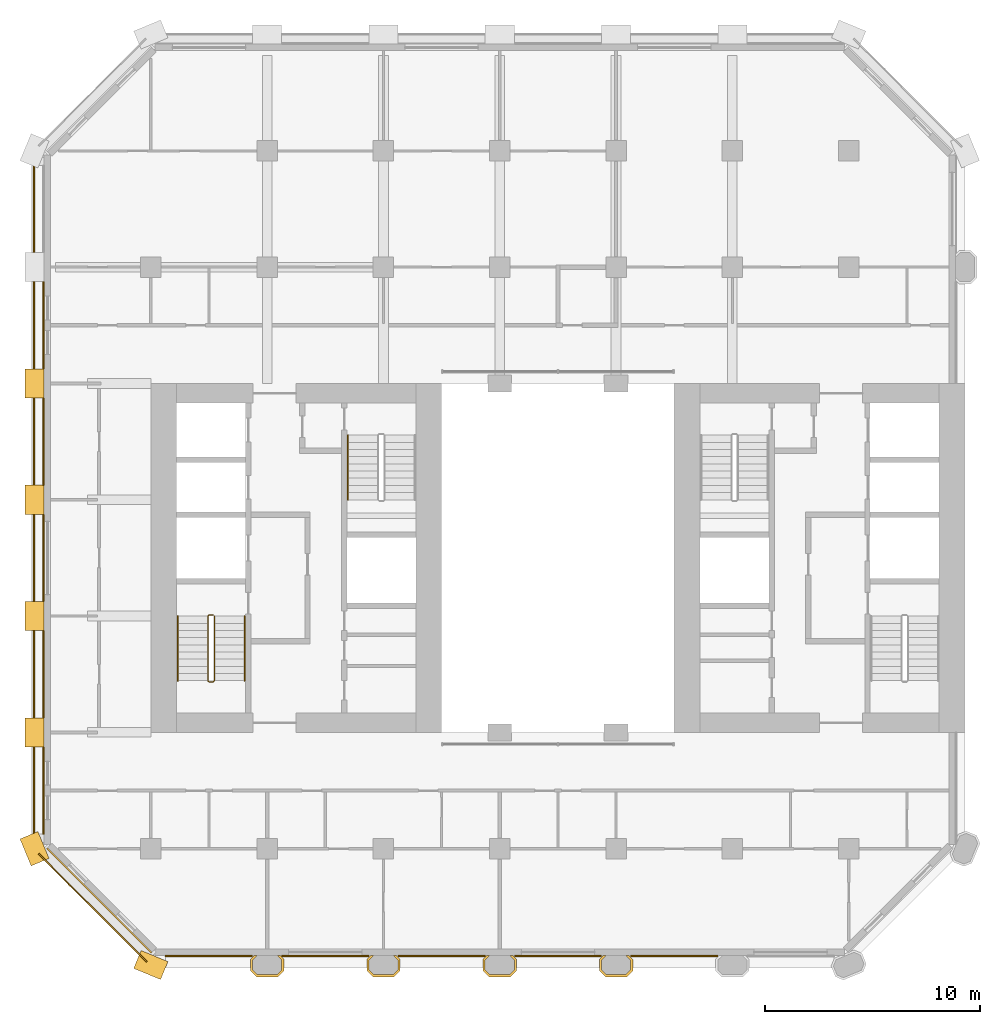
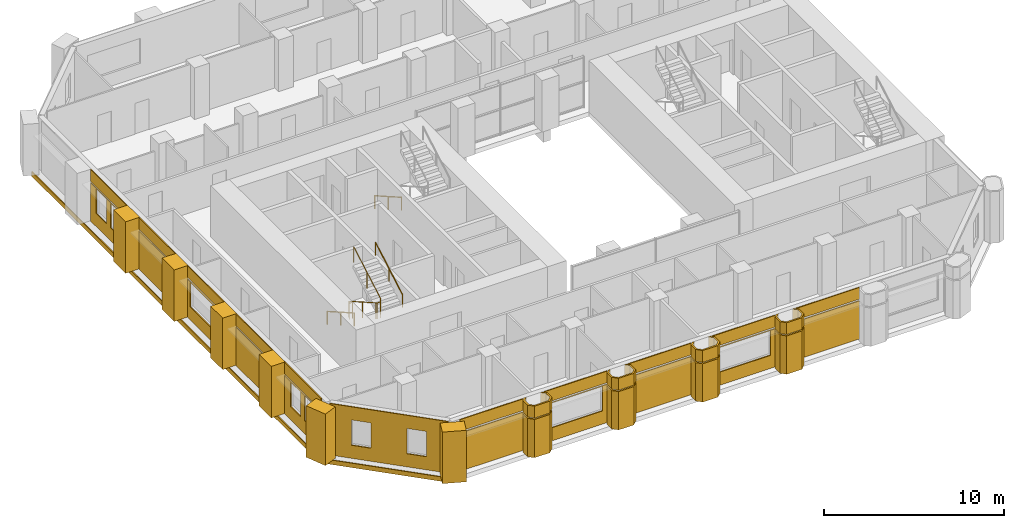
# One storey, part 11 of 13: 37 coverings, 4 railings.
"""IFC4 building model written with IfcOpenShell, lengths in metres."""

from ifc_helpers import new_model, si_unit, direction, frame, frame_2d, origin, origin_2d, place, context, subcontext, project, spatial, polyline, rectangle, circle, outline, extrude, material, layer, layer_set, type_object, element, save


model = new_model("IFC4")

# Units and contexts
model_context = context("Model", 3, precision=1e-05, world=origin(), true_north=direction((0.0, 1.0)))
body_context = subcontext(model_context, "Body", "Model", "MODEL_VIEW")
ifc_project = project(units=[si_unit("LENGTHUNIT", "METRE"), si_unit("AREAUNIT", "SQUARE_METRE"), si_unit("VOLUMEUNIT", "CUBIC_METRE"), si_unit("PLANEANGLEUNIT", "RADIAN"), si_unit("MASSUNIT", "GRAM", prefix="KILO")], contexts=[model_context])

# Site, building, storey
site_placement = place(None, origin())
site = spatial("IfcSite", under=ifc_project, at=site_placement, CompositionType="ELEMENT")
building_placement = place(site_placement, origin())
building = spatial("IfcBuilding", under=site, at=building_placement, Name="Tabaq Tower and Sports Hall", CompositionType="ELEMENT")
storey_placement = place(building_placement, frame((0.0, 0.0, 114.39990234375)))
storey = spatial("IfcBuildingStorey", under=building, at=storey_placement, Name="L27", CompositionType="ELEMENT", Elevation=114.39990234375)

# Coverings
ifc_material_1 = material(Name="Precast concrete C60/75", Category="concrete")
ifc_layer_1 = layer(ifc_material_1, 0.10009765625)
ifc_layer_set_1 = layer_set([ifc_layer_1], Name="Column cladding 100")
covering_type_1 = type_object("IfcCoveringType", Name="Column cladding 100", PredefinedType="CLADDING", material=ifc_layer_set_1)
covering_1_placement = place(storey_placement, origin())
element("IfcCovering", 1, at=covering_1_placement, inside=storey, type_object=covering_type_1, Name="Column cladding L27 PC-3B-O3", PredefinedType="CLADDING", context=body_context, shape_type="SweptSolid", body=[
    extrude(outline(polyline([(10.025390625, 5.666259765625), (10.208740234375, 5.849609375), (10.349365234375, 5.849609375), (10.124755859375, 5.625244140625), (10.124755859375, 5.1748046875), (10.349853515625, 4.94970703125), (11.250244140625, 4.94970703125), (11.475341796875, 5.1748046875), (11.475341796875, 5.625244140625), (11.250732421875, 5.849609375), (11.391357421875, 5.849609375), (11.57470703125, 5.666259765625), (11.57470703125, 5.1337890625), (11.291259765625, 4.850341796875), (10.30859375, 4.850341796875), (10.025390625, 5.1337890625), (10.025390625, 5.666259765625)])), origin(), (0.0, 0.0, 1.0), 2.60009765625),
])
covering_2_placement = place(storey_placement, frame((0.0, 0.0, 2.7001953125)))
element("IfcCovering", 2, at=covering_2_placement, inside=storey, type_object=covering_type_1, Name="Column cladding L27 PC-3B-O3 2", PredefinedType="CLADDING", context=body_context, shape_type="SweptSolid", body=[
    extrude(outline(polyline([(10.025390625, 5.666259765625), (10.208740234375, 5.849609375), (10.349365234375, 5.849609375), (10.124755859375, 5.625244140625), (10.124755859375, 5.1748046875), (10.349853515625, 4.94970703125), (11.250244140625, 4.94970703125), (11.475341796875, 5.1748046875), (11.475341796875, 5.625244140625), (11.250732421875, 5.849609375), (11.391357421875, 5.849609375), (11.57470703125, 5.666259765625), (11.57470703125, 5.1337890625), (11.291259765625, 4.850341796875), (10.30859375, 4.850341796875), (10.025390625, 5.1337890625), (10.025390625, 5.666259765625)])), origin(), (0.0, 0.0, 1.0), 0.7998046875),
])
covering_3_placement = place(storey_placement, origin())
element("IfcCovering", 3, at=covering_3_placement, inside=storey, type_object=covering_type_1, Name="Column cladding L27 PC-4B-O3", PredefinedType="CLADDING", context=body_context, shape_type="SweptSolid", body=[
    extrude(outline(polyline([(15.42529296875, 5.666259765625), (15.608642578125, 5.849609375), (15.749267578125, 5.849609375), (15.524658203125, 5.625244140625), (15.524658203125, 5.1748046875), (15.749755859375, 4.94970703125), (16.650146484375, 4.94970703125), (16.875244140625, 5.1748046875), (16.875244140625, 5.625244140625), (16.650634765625, 5.849609375), (16.791259765625, 5.849609375), (16.974609375, 5.666259765625), (16.974609375, 5.1337890625), (16.69140625, 4.850341796875), (15.708740234375, 4.850341796875), (15.42529296875, 5.1337890625), (15.42529296875, 5.666259765625)])), origin(), (0.0, 0.0, 1.0), 2.60009765625),
])
covering_4_placement = place(storey_placement, frame((0.0, 0.0, 2.7001953125)))
element("IfcCovering", 4, at=covering_4_placement, inside=storey, type_object=covering_type_1, Name="Column cladding L27 PC-4B-O3 2", PredefinedType="CLADDING", context=body_context, shape_type="SweptSolid", body=[
    extrude(outline(polyline([(15.42529296875, 5.666259765625), (15.608642578125, 5.849609375), (15.749267578125, 5.849609375), (15.524658203125, 5.625244140625), (15.524658203125, 5.1748046875), (15.749755859375, 4.94970703125), (16.650146484375, 4.94970703125), (16.875244140625, 5.1748046875), (16.875244140625, 5.625244140625), (16.650634765625, 5.849609375), (16.791259765625, 5.849609375), (16.974609375, 5.666259765625), (16.974609375, 5.1337890625), (16.69140625, 4.850341796875), (15.708740234375, 4.850341796875), (15.42529296875, 5.1337890625), (15.42529296875, 5.666259765625)])), origin(), (0.0, 0.0, 1.0), 0.7998046875),
])
covering_5_placement = place(storey_placement, origin())
element("IfcCovering", 5, at=covering_5_placement, inside=storey, type_object=covering_type_1, Name="Column cladding L27 PC-5B-O3", PredefinedType="CLADDING", context=body_context, shape_type="SweptSolid", body=[
    extrude(outline(polyline([(20.8251953125, 5.666259765625), (21.0087890625, 5.849609375), (21.149169921875, 5.849609375), (20.9248046875, 5.625244140625), (20.9248046875, 5.1748046875), (21.14990234375, 4.94970703125), (22.050048828125, 4.94970703125), (22.275390625, 5.1748046875), (22.275390625, 5.625244140625), (22.05078125, 5.849609375), (22.19140625, 5.849609375), (22.374755859375, 5.666259765625), (22.374755859375, 5.1337890625), (22.09130859375, 4.850341796875), (21.108642578125, 4.850341796875), (20.8251953125, 5.1337890625), (20.8251953125, 5.666259765625)])), origin(), (0.0, 0.0, 1.0), 2.60009765625),
])
covering_6_placement = place(storey_placement, frame((0.0, 0.0, 2.7001953125)))
element("IfcCovering", 6, at=covering_6_placement, inside=storey, type_object=covering_type_1, Name="Column cladding L27 PC-5B-O3 2", PredefinedType="CLADDING", context=body_context, shape_type="SweptSolid", body=[
    extrude(outline(polyline([(20.8251953125, 5.666259765625), (21.0087890625, 5.849609375), (21.149169921875, 5.849609375), (20.9248046875, 5.625244140625), (20.9248046875, 5.1748046875), (21.14990234375, 4.94970703125), (22.050048828125, 4.94970703125), (22.275390625, 5.1748046875), (22.275390625, 5.625244140625), (22.05078125, 5.849609375), (22.19140625, 5.849609375), (22.374755859375, 5.666259765625), (22.374755859375, 5.1337890625), (22.09130859375, 4.850341796875), (21.108642578125, 4.850341796875), (20.8251953125, 5.1337890625), (20.8251953125, 5.666259765625)])), origin(), (0.0, 0.0, 1.0), 0.7998046875),
])
covering_7_placement = place(storey_placement, origin())
element("IfcCovering", 7, at=covering_7_placement, inside=storey, type_object=covering_type_1, Name="Column cladding L27 PC-6B-O3", PredefinedType="CLADDING", context=body_context, shape_type="SweptSolid", body=[
    extrude(outline(polyline([(26.225341796875, 5.666259765625), (26.40869140625, 5.849609375), (26.54931640625, 5.849609375), (26.32470703125, 5.625244140625), (26.32470703125, 5.1748046875), (26.5498046875, 4.94970703125), (27.4501953125, 4.94970703125), (27.67529296875, 5.1748046875), (27.67529296875, 5.625244140625), (27.45068359375, 5.849609375), (27.59130859375, 5.849609375), (27.774658203125, 5.666259765625), (27.774658203125, 5.1337890625), (27.4912109375, 4.850341796875), (26.5087890625, 4.850341796875), (26.225341796875, 5.1337890625), (26.225341796875, 5.666259765625)])), origin(), (0.0, 0.0, 1.0), 2.60009765625),
])
covering_8_placement = place(storey_placement, frame((0.0, 0.0, 2.7001953125)))
element("IfcCovering", 8, at=covering_8_placement, inside=storey, type_object=covering_type_1, Name="Column cladding L27 PC-6B-O3 2", PredefinedType="CLADDING", context=body_context, shape_type="SweptSolid", body=[
    extrude(outline(polyline([(26.225341796875, 5.666259765625), (26.40869140625, 5.849609375), (26.54931640625, 5.849609375), (26.32470703125, 5.625244140625), (26.32470703125, 5.1748046875), (26.5498046875, 4.94970703125), (27.4501953125, 4.94970703125), (27.67529296875, 5.1748046875), (27.67529296875, 5.625244140625), (27.45068359375, 5.849609375), (27.59130859375, 5.849609375), (27.774658203125, 5.666259765625), (27.774658203125, 5.1337890625), (27.4912109375, 4.850341796875), (26.5087890625, 4.850341796875), (26.225341796875, 5.1337890625), (26.225341796875, 5.666259765625)])), origin(), (0.0, 0.0, 1.0), 0.7998046875),
])
ifc_material_2 = material(Name="Precast concrete C60/75", Category="concrete")
ifc_layer_2 = layer(ifc_material_2, 0.06005859375)
ifc_layer_set_2 = layer_set([ifc_layer_2], Name="Edge beam cladding 60")
covering_type_2 = type_object("IfcCoveringType", Name="Edge beam cladding 60", PredefinedType="CLADDING", material=ifc_layer_set_2)
covering_9_placement = place(storey_placement, frame((-0.030029296875, 42.9013671875, -0.2998046875), z_axis=(0.0, 0.0, 1.0), x_axis=(0.0, -1.0, 0.0)))
element("IfcCovering", 9, at=covering_9_placement, inside=storey, type_object=covering_type_2, Name="Edge beam cladding L27 4", PredefinedType="CLADDING", context=body_context, shape_type="SweptSolid", body=[
    extrude(rectangle(XDim=31.802734375, YDim=0.06005859375, at=frame_2d((15.9013671875, 0.0))), origin(), (0.0, 0.0, 1.0), 0.2998046875),
])
covering_10_placement = place(storey_placement, frame((0.18994140625, 10.567626953125, -0.2998046875), z_axis=(0.0, 0.0, 1.0), x_axis=(0.707106781187, -0.707106781187, 0.0)))
element("IfcCovering", 10, at=covering_10_placement, inside=storey, type_object=covering_type_2, Name="Edge beam cladding L27 5", PredefinedType="CLADDING", context=body_context, shape_type="SweptSolid", body=[
    extrude(rectangle(XDim=7.087890625, YDim=0.06005859375, at=frame_2d((3.5439453125, 0.0))), origin(), (0.0, 0.0, 1.0), 0.2998046875),
])
ifc_material_3 = material(Name="White precast concrete C60/75", Category="concrete")
covering_type_3 = type_object("IfcCoveringType", Name="Pier cladding hung 1350x900", PredefinedType="CLADDING", material=ifc_material_3)
for number, where, z_axis, x_axis, name in (
    (11, (-0.25830078125, 11.423583984375, 0.0), (0.0, 0.0, 1.0), (0.382649923473, -0.923893411637, 0.0), "Hung pier cladding 0/2"),
    (12, (0.0, 16.875, 0.0), (0.0, 0.0, 1.0), (0.0, -1.0, 0.0), "Hung pier cladding 0/3"),
):
    element("IfcCovering", number, at=place(storey_placement, frame(where, z_axis=z_axis, x_axis=x_axis)), inside=storey, type_object=covering_type_3, Name=name, PredefinedType="CLADDING", context=body_context, shape_type="SweptSolid", body=[
        extrude(rectangle(XDim=1.35009765625, YDim=0.89990234375, at=frame_2d((0.675048828125, 0.0))), origin(), (0.0, 0.0, 1.0), 3.5),
    ])
covering_11_placement = place(storey_placement, frame((0.0, 22.27490234375, 0.0), z_axis=(0.0, 0.0, 1.0), x_axis=(0.0, -1.0, 0.0)))
element("IfcCovering", 13, at=covering_11_placement, inside=storey, type_object=covering_type_3, Name="Hung pier cladding 0/4", PredefinedType="CLADDING", context=body_context, shape_type="SweptSolid", body=[
    extrude(rectangle(XDim=1.349853515625, YDim=0.89990234375, at=frame_2d((0.6748046875, 0.0))), origin(), (0.0, 0.0, 1.0), 3.5),
])
covering_12_placement = place(storey_placement, frame((0.0, 27.675048828125, 0.0), z_axis=(0.0, 0.0, 1.0), x_axis=(0.0, -1.0, 0.0)))
element("IfcCovering", 14, at=covering_12_placement, inside=storey, type_object=covering_type_3, Name="Hung pier cladding 0/5", PredefinedType="CLADDING", context=body_context, shape_type="SweptSolid", body=[
    extrude(rectangle(XDim=1.35009765625, YDim=0.89990234375, at=frame_2d((0.675048828125, 0.0))), origin(), (0.0, 0.0, 1.0), 3.5),
])
covering_13_placement = place(storey_placement, frame((0.0, 33.074951171875, 0.0), z_axis=(0.0, 0.0, 1.0), x_axis=(0.0, -1.0, 0.0)))
element("IfcCovering", 15, at=covering_13_placement, inside=storey, type_object=covering_type_3, Name="Hung pier cladding 0/6", PredefinedType="CLADDING", context=body_context, shape_type="SweptSolid", body=[
    extrude(rectangle(XDim=1.349853515625, YDim=0.89990234375, at=frame_2d((0.6748046875, 0.0))), origin(), (0.0, 0.0, 1.0), 3.5),
])
covering_14_placement = place(storey_placement, frame((4.7763671875, 5.658203125, 0.0), z_axis=(0.0, 0.0, 1.0), x_axis=(0.923893411637, -0.382649923473, 0.0)))
element("IfcCovering", 16, at=covering_14_placement, inside=storey, type_object=covering_type_3, Name="Hung pier cladding 1/1", PredefinedType="CLADDING", context=body_context, shape_type="SweptSolid", body=[
    extrude(rectangle(XDim=1.35009765625, YDim=0.89990234375, at=frame_2d((0.675048828125, 0.0))), origin(), (0.0, 0.0, 1.0), 3.5),
])

# Railings
ifc_material_4 = material(Name="Stainless steel", Category="steel")
railing_type_1 = type_object("IfcRailingType", Name="Stair guard", PredefinedType="GUARDRAIL", material=ifc_material_4)
railing_1_placement = place(storey_placement, frame((8.300048828125, 21.64990234375, 0.0)))
element("IfcRailing", 17, at=railing_1_placement, inside=storey, type_object=railing_type_1, Name="L27 ST1 stair guard 1", PredefinedType="GUARDRAIL", context=body_context, shape_type="SweptSolid", body=[
    extrude(circle(Radius=0.02392578125, at=origin_2d()), frame((0.0, 0.0, 1.076171875), z_axis=(-1.0, 0.0, 0.0), x_axis=(0.0, -1.0, 0.0)), (0.0, 0.0, 1.0), 0.199951171875),
    extrude(circle(Radius=0.02392578125, at=origin_2d()), frame((-0.199951171875, 0.0, 1.076171875), z_axis=(-0.246704845944, -0.245501407671, 0.937478414588), x_axis=(0.705375805398, -0.708833529934, 0.0)), (0.0, 0.0, 1.0), 0.202880859375),
    extrude(circle(Radius=0.02392578125, at=origin_2d()), frame((-0.25, -0.0498046875, 1.26611328125), z_axis=(0.0, -0.868782136927, 0.495194505781), x_axis=(1.0, 0.0, 0.0)), (0.0, 0.0, 1.0), 3.453125),
    extrude(circle(Radius=0.02392578125, at=origin_2d()), frame((-0.25, -3.0498046875, 2.97607421875), z_axis=(0.707106781187, -0.707106781187, 0.0), x_axis=(0.707106781187, 0.707106781187, 0.0)), (0.0, 0.0, 1.0), 0.07080078125),
    extrude(circle(Radius=0.02392578125, at=origin_2d()), frame((-0.199951171875, -3.099853515625, 2.97607421875), z_axis=(1.0, 0.0, 0.0), x_axis=(0.0, 1.0, 0.0)), (0.0, 0.0, 1.0), 0.199951171875),
    extrude(circle(Radius=0.02392578125, at=origin_2d()), frame((0.0, -3.099853515625, 2.97607421875), z_axis=(0.246910188598, 0.246910188598, 0.937054276727), x_axis=(-0.707106781187, 0.707106781187, 0.0)), (0.0, 0.0, 1.0), 0.20263671875),
    extrude(circle(Radius=0.02392578125, at=origin_2d()), frame((0.050048828125, -3.0498046875, 3.166015625), z_axis=(0.0, 0.868782136927, 0.495194505781), x_axis=(-1.0, 0.0, 0.0)), (0.0, 0.0, 1.0), 3.453125),
    extrude(circle(Radius=0.02099609375, at=origin_2d()), origin(), (0.0, 0.0, 1.0), 1.052001953125),
    extrude(circle(Radius=0.02099609375, at=origin_2d()), frame((-0.199951171875, 0.0, 0.0)), (0.0, 0.0, 1.0), 1.052001953125),
    extrude(circle(Radius=0.02099609375, at=origin_2d()), frame((-0.25, -0.0498046875, 0.190185546875)), (0.0, 0.0, 1.0), 1.052001953125),
    extrude(circle(Radius=0.02099609375, at=origin_2d()), frame((-0.25, -1.5498046875, 1.045166015625)), (0.0, 0.0, 1.0), 1.052001953125),
    extrude(circle(Radius=0.02099609375, at=origin_2d()), frame((-0.25, -3.0498046875, 1.900146484375)), (0.0, 0.0, 1.0), 1.052001953125),
    extrude(circle(Radius=0.02099609375, at=origin_2d()), frame((-0.199951171875, -3.099853515625, 1.900146484375)), (0.0, 0.0, 1.0), 1.052001953125),
    extrude(circle(Radius=0.02099609375, at=origin_2d()), frame((0.0, -3.099853515625, 1.900146484375)), (0.0, 0.0, 1.0), 1.052001953125),
    extrude(circle(Radius=0.02099609375, at=origin_2d()), frame((0.050048828125, -3.0498046875, 2.090087890625)), (0.0, 0.0, 1.0), 1.052001953125),
    extrude(circle(Radius=0.02099609375, at=origin_2d()), frame((0.050048828125, -1.5498046875, 2.945068359375)), (0.0, 0.0, 1.0), 1.052001953125),
    extrude(circle(Radius=0.02099609375, at=origin_2d()), frame((0.050048828125, -0.0498046875, 3.800048828125)), (0.0, 0.0, 1.0), 1.052001953125),
])
ifc_material_5 = material(Name="Stainless steel", Category="steel")
railing_type_2 = type_object("IfcRailingType", Name="Stair handrail", PredefinedType="HANDRAIL", material=ifc_material_5)
railing_2_placement = place(storey_placement, frame((6.64990234375, 21.60009765625, 0.190185546875)))
element("IfcRailing", 18, at=railing_2_placement, inside=storey, type_object=railing_type_2, Name="L27 ST1 stair handrail 1", PredefinedType="HANDRAIL", context=body_context, shape_type="SweptSolid", body=[
    extrude(circle(Radius=0.02392578125, at=origin_2d()), frame((0.0, 0.0, 0.8759765625), z_axis=(0.0, -0.868782136927, 0.495194505781), x_axis=(1.0, 0.0, 0.0)), (0.0, 0.0, 1.0), 3.453125),
    extrude(circle(Radius=0.02099609375, at=origin_2d()), origin(), (0.0, 0.0, 1.0), 0.851806640625),
    extrude(circle(Radius=0.02099609375, at=origin_2d()), frame((0.0, -1.5, 0.85498046875)), (0.0, 0.0, 1.0), 0.851806640625),
    extrude(circle(Radius=0.02099609375, at=origin_2d()), frame((0.0, -3.0, 1.7099609375)), (0.0, 0.0, 1.0), 0.851806640625),
])
railing_3_placement = place(storey_placement, frame((9.75, 18.60009765625, 2.090087890625)))
element("IfcRailing", 19, at=railing_3_placement, inside=storey, type_object=railing_type_2, Name="L27 ST1 stair handrail 2", PredefinedType="HANDRAIL", context=body_context, shape_type="SweptSolid", body=[
    extrude(circle(Radius=0.02392578125, at=origin_2d()), frame((0.0, 0.0, 0.8759765625), z_axis=(0.0, 0.868782136927, 0.495194505781), x_axis=(-1.0, 0.0, 0.0)), (0.0, 0.0, 1.0), 3.453125),
    extrude(circle(Radius=0.02099609375, at=origin_2d()), origin(), (0.0, 0.0, 1.0), 0.851806640625),
    extrude(circle(Radius=0.02099609375, at=origin_2d()), frame((0.0, 1.5, 0.85498046875)), (0.0, 0.0, 1.0), 0.851806640625),
    extrude(circle(Radius=0.02099609375, at=origin_2d()), frame((0.0, 3.0, 1.7099609375)), (0.0, 0.0, 1.0), 0.851806640625),
])
railing_4_placement = place(storey_placement, frame((14.550048828125, 30.0, 0.190185546875)))
element("IfcRailing", 20, at=railing_4_placement, inside=storey, type_object=railing_type_2, Name="L27 ST2 stair handrail 1", PredefinedType="HANDRAIL", context=body_context, shape_type="SweptSolid", body=[
    extrude(circle(Radius=0.02392578125, at=origin_2d()), frame((0.0, 0.0, 0.8759765625), z_axis=(0.0, -0.868782136927, 0.495194505781), x_axis=(1.0, 0.0, 0.0)), (0.0, 0.0, 1.0), 3.453125),
    extrude(circle(Radius=0.02099609375, at=origin_2d()), origin(), (0.0, 0.0, 1.0), 0.851806640625),
    extrude(circle(Radius=0.02099609375, at=origin_2d()), frame((0.0, -1.5, 0.85498046875)), (0.0, 0.0, 1.0), 0.851806640625),
    extrude(circle(Radius=0.02099609375, at=origin_2d()), frame((0.0, -3.0, 1.7099609375)), (0.0, 0.0, 1.0), 0.851806640625),
])

# Coverings
ifc_material_6 = material(Name="Precast concrete C60/75", Category="concrete")
ifc_layer_3 = layer(ifc_material_6, 0.06005859375)
ifc_layer_set_3 = layer_set([ifc_layer_3], Name="White precast cladding panel 60 C60/75")
covering_type_4 = type_object("IfcCoveringType", Name="White precast cladding panel 60 C60/75", PredefinedType="CLADDING", material=ifc_layer_set_3)
covering_15_placement = place(storey_placement, frame((6.06494140625, 5.820068359375, 0.0), z_axis=(0.0, 0.0, 1.0), x_axis=(1.0, 0.0, 0.0)))
element("IfcCovering", 21, at=covering_15_placement, inside=storey, type_object=covering_type_4, Name="White precast cladding panel L27 wall00", PredefinedType="CLADDING", context=body_context, shape_type="SweptSolid", body=[
    extrude(rectangle(XDim=4.050048828125, YDim=0.06005859375, at=frame_2d((2.02490234375, 0.0))), origin(), (0.0, 0.0, 1.0), 2.590087890625),
])
covering_16_placement = place(storey_placement, frame((6.06494140625, 5.820068359375, 2.710205078125), z_axis=(0.0, 0.0, 1.0), x_axis=(1.0, 0.0, 0.0)))
element("IfcCovering", 22, at=covering_16_placement, inside=storey, type_object=covering_type_4, Name="White precast cladding panel L27 wall00 2", PredefinedType="CLADDING", context=body_context, shape_type="SweptSolid", body=[
    extrude(rectangle(XDim=4.050048828125, YDim=0.06005859375, at=frame_2d((2.02490234375, 0.0))), origin(), (0.0, 0.0, 1.0), 0.789794921875),
])
covering_17_placement = place(storey_placement, frame((11.485107421875, 5.820068359375, 0.0), z_axis=(0.0, 0.0, 1.0), x_axis=(1.0, 0.0, 0.0)))
element("IfcCovering", 23, at=covering_17_placement, inside=storey, type_object=covering_type_4, Name="White precast cladding panel L27 wall00 3", PredefinedType="CLADDING", context=body_context, shape_type="SweptSolid", body=[
    extrude(outline(polyline([(0.0, 0.0), (4.02978515625, 0.0), (4.02978515625, 2.590087890625), (0.0, 2.590087890625), (0.0, 0.0)]), holes=[polyline([(3.72509765625, 0.89013671875), (0.304931640625, 0.89013671875), (0.304931640625, 2.56005859375), (3.72509765625, 2.56005859375), (3.72509765625, 0.89013671875)])]), frame((0.0, 0.030029296875, 0.0), z_axis=(0.0, -1.0, 0.0), x_axis=(1.0, 0.0, 0.0)), (0.0, 0.0, 1.0), 0.06005859375),
])
covering_18_placement = place(storey_placement, frame((11.485107421875, 5.820068359375, 2.710205078125), z_axis=(0.0, 0.0, 1.0), x_axis=(1.0, 0.0, 0.0)))
element("IfcCovering", 24, at=covering_18_placement, inside=storey, type_object=covering_type_4, Name="White precast cladding panel L27 wall00 4", PredefinedType="CLADDING", context=body_context, shape_type="SweptSolid", body=[
    extrude(rectangle(XDim=4.02978515625, YDim=0.06005859375, at=frame_2d((2.014892578125, 0.0))), origin(), (0.0, 0.0, 1.0), 0.789794921875),
])
covering_19_placement = place(storey_placement, frame((16.885009765625, 5.820068359375, 0.0), z_axis=(0.0, 0.0, 1.0), x_axis=(1.0, 0.0, 0.0)))
element("IfcCovering", 25, at=covering_19_placement, inside=storey, type_object=covering_type_4, Name="White precast cladding panel L27 wall00 5", PredefinedType="CLADDING", context=body_context, shape_type="SweptSolid", body=[
    extrude(rectangle(XDim=4.030029296875, YDim=0.06005859375, at=frame_2d((2.01513671875, 0.0))), origin(), (0.0, 0.0, 1.0), 2.590087890625),
])
covering_20_placement = place(storey_placement, frame((16.885009765625, 5.820068359375, 2.710205078125), z_axis=(0.0, 0.0, 1.0), x_axis=(1.0, 0.0, 0.0)))
element("IfcCovering", 26, at=covering_20_placement, inside=storey, type_object=covering_type_4, Name="White precast cladding panel L27 wall00 6", PredefinedType="CLADDING", context=body_context, shape_type="SweptSolid", body=[
    extrude(rectangle(XDim=4.030029296875, YDim=0.06005859375, at=frame_2d((2.01513671875, 0.0))), origin(), (0.0, 0.0, 1.0), 0.789794921875),
])
covering_21_placement = place(storey_placement, frame((22.284912109375, 5.820068359375, 0.0), z_axis=(0.0, 0.0, 1.0), x_axis=(1.0, 0.0, 0.0)))
element("IfcCovering", 27, at=covering_21_placement, inside=storey, type_object=covering_type_4, Name="White precast cladding panel L27 wall00 7", PredefinedType="CLADDING", context=body_context, shape_type="SweptSolid", body=[
    extrude(outline(polyline([(0.0, 0.0), (4.030029296875, 0.0), (4.030029296875, 2.590087890625), (0.0, 2.590087890625), (0.0, 0.0)]), holes=[polyline([(3.72509765625, 0.89013671875), (0.304931640625, 0.89013671875), (0.304931640625, 2.56005859375), (3.72509765625, 2.56005859375), (3.72509765625, 0.89013671875)])]), frame((0.0, 0.030029296875, 0.0), z_axis=(0.0, -1.0, 0.0), x_axis=(1.0, 0.0, 0.0)), (0.0, 0.0, 1.0), 0.06005859375),
])
covering_22_placement = place(storey_placement, frame((22.284912109375, 5.820068359375, 2.710205078125), z_axis=(0.0, 0.0, 1.0), x_axis=(1.0, 0.0, 0.0)))
element("IfcCovering", 28, at=covering_22_placement, inside=storey, type_object=covering_type_4, Name="White precast cladding panel L27 wall00 8", PredefinedType="CLADDING", context=body_context, shape_type="SweptSolid", body=[
    extrude(rectangle(XDim=4.030029296875, YDim=0.06005859375, at=frame_2d((2.01513671875, 0.0))), origin(), (0.0, 0.0, 1.0), 0.789794921875),
])
covering_23_placement = place(storey_placement, frame((27.68505859375, 5.820068359375, 0.0), z_axis=(0.0, 0.0, 1.0), x_axis=(1.0, 0.0, 0.0)))
element("IfcCovering", 29, at=covering_23_placement, inside=storey, type_object=covering_type_4, Name="White precast cladding panel L27 wall00 9", PredefinedType="CLADDING", context=body_context, shape_type="SweptSolid", body=[
    extrude(rectangle(XDim=4.030029296875, YDim=0.06005859375, at=frame_2d((2.01513671875, 0.0))), origin(), (0.0, 0.0, 1.0), 2.590087890625),
])
covering_24_placement = place(storey_placement, frame((27.68505859375, 5.820068359375, 2.710205078125), z_axis=(0.0, 0.0, 1.0), x_axis=(1.0, 0.0, 0.0)))
element("IfcCovering", 30, at=covering_24_placement, inside=storey, type_object=covering_type_4, Name="White precast cladding panel L27 wall00 10", PredefinedType="CLADDING", context=body_context, shape_type="SweptSolid", body=[
    extrude(rectangle(XDim=4.030029296875, YDim=0.06005859375, at=frame_2d((2.01513671875, 0.0))), origin(), (0.0, 0.0, 1.0), 0.789794921875),
])
covering_25_placement = place(storey_placement, frame((0.419921875, 37.114990234375, 0.0), z_axis=(0.0, 0.0, 1.0), x_axis=(0.0, -1.0, 0.0)))
element("IfcCovering", 31, at=covering_25_placement, inside=storey, type_object=covering_type_4, Name="White precast cladding panel L27 wall06 3", PredefinedType="CLADDING", context=body_context, shape_type="SweptSolid", body=[
    extrude(outline(polyline([(0.0, 0.0), (4.030029296875, 0.0), (4.030029296875, 2.590087890625), (0.0, 2.590087890625), (0.0, 0.0)]), holes=[polyline([(0.655029296875, 0.89013671875), (0.655029296875, 2.56005859375), (1.77490234375, 2.56005859375), (1.77490234375, 0.89013671875), (0.655029296875, 0.89013671875)]), polyline([(2.2548828125, 0.89013671875), (2.2548828125, 2.56005859375), (3.375, 2.56005859375), (3.375, 0.89013671875), (2.2548828125, 0.89013671875)])]), frame((0.0, 0.030029296875, 0.0), z_axis=(0.0, -1.0, 0.0), x_axis=(1.0, 0.0, 0.0)), (0.0, 0.0, 1.0), 0.06005859375),
])
covering_26_placement = place(storey_placement, frame((0.419921875, 37.114990234375, 2.710205078125), z_axis=(0.0, 0.0, 1.0), x_axis=(0.0, -1.0, 0.0)))
element("IfcCovering", 32, at=covering_26_placement, inside=storey, type_object=covering_type_4, Name="White precast cladding panel L27 wall06 4", PredefinedType="CLADDING", context=body_context, shape_type="SweptSolid", body=[
    extrude(rectangle(XDim=4.030029296875, YDim=0.06005859375, at=frame_2d((2.01513671875, 0.0))), origin(), (0.0, 0.0, 1.0), 0.789794921875),
])
covering_27_placement = place(storey_placement, frame((0.419921875, 31.715087890625, 0.0), z_axis=(0.0, 0.0, 1.0), x_axis=(0.0, -1.0, 0.0)))
element("IfcCovering", 33, at=covering_27_placement, inside=storey, type_object=covering_type_4, Name="White precast cladding panel L27 wall06 5", PredefinedType="CLADDING", context=body_context, shape_type="SweptSolid", body=[
    extrude(rectangle(XDim=4.030029296875, YDim=0.06005859375, at=frame_2d((2.01513671875, 0.0))), origin(), (0.0, 0.0, 1.0), 2.590087890625),
])
covering_28_placement = place(storey_placement, frame((0.419921875, 31.715087890625, 2.710205078125), z_axis=(0.0, 0.0, 1.0), x_axis=(0.0, -1.0, 0.0)))
element("IfcCovering", 34, at=covering_28_placement, inside=storey, type_object=covering_type_4, Name="White precast cladding panel L27 wall06 6", PredefinedType="CLADDING", context=body_context, shape_type="SweptSolid", body=[
    extrude(rectangle(XDim=4.030029296875, YDim=0.06005859375, at=frame_2d((2.01513671875, 0.0))), origin(), (0.0, 0.0, 1.0), 0.789794921875),
])
covering_29_placement = place(storey_placement, frame((0.419921875, 26.31494140625, 0.0), z_axis=(0.0, 0.0, 1.0), x_axis=(0.0, -1.0, 0.0)))
element("IfcCovering", 35, at=covering_29_placement, inside=storey, type_object=covering_type_4, Name="White precast cladding panel L27 wall06 7", PredefinedType="CLADDING", context=body_context, shape_type="SweptSolid", body=[
    extrude(outline(polyline([(0.0, 0.0), (4.030029296875, 0.0), (4.030029296875, 2.590087890625), (0.0, 2.590087890625), (0.0, 0.0)]), holes=[polyline([(3.72509765625, 0.89013671875), (0.304931640625, 0.89013671875), (0.304931640625, 2.56005859375), (3.72509765625, 2.56005859375), (3.72509765625, 0.89013671875)])]), frame((0.0, 0.030029296875, 0.0), z_axis=(0.0, -1.0, 0.0), x_axis=(1.0, 0.0, 0.0)), (0.0, 0.0, 1.0), 0.06005859375),
])
covering_30_placement = place(storey_placement, frame((0.419921875, 26.31494140625, 2.710205078125), z_axis=(0.0, 0.0, 1.0), x_axis=(0.0, -1.0, 0.0)))
element("IfcCovering", 36, at=covering_30_placement, inside=storey, type_object=covering_type_4, Name="White precast cladding panel L27 wall06 8", PredefinedType="CLADDING", context=body_context, shape_type="SweptSolid", body=[
    extrude(rectangle(XDim=4.030029296875, YDim=0.06005859375, at=frame_2d((2.01513671875, 0.0))), origin(), (0.0, 0.0, 1.0), 0.789794921875),
])
covering_31_placement = place(storey_placement, frame((0.419921875, 20.9150390625, 0.0), z_axis=(0.0, 0.0, 1.0), x_axis=(0.0, -1.0, 0.0)))
element("IfcCovering", 37, at=covering_31_placement, inside=storey, type_object=covering_type_4, Name="White precast cladding panel L27 wall06 9", PredefinedType="CLADDING", context=body_context, shape_type="SweptSolid", body=[
    extrude(rectangle(XDim=4.030029296875, YDim=0.06005859375, at=frame_2d((2.01513671875, 0.0))), origin(), (0.0, 0.0, 1.0), 2.590087890625),
])
covering_32_placement = place(storey_placement, frame((0.419921875, 20.9150390625, 2.710205078125), z_axis=(0.0, 0.0, 1.0), x_axis=(0.0, -1.0, 0.0)))
element("IfcCovering", 38, at=covering_32_placement, inside=storey, type_object=covering_type_4, Name="White precast cladding panel L27 wall06 10", PredefinedType="CLADDING", context=body_context, shape_type="SweptSolid", body=[
    extrude(rectangle(XDim=4.030029296875, YDim=0.06005859375, at=frame_2d((2.01513671875, 0.0))), origin(), (0.0, 0.0, 1.0), 0.789794921875),
])
covering_33_placement = place(storey_placement, frame((0.419921875, 15.514892578125, 0.0), z_axis=(0.0, 0.0, 1.0), x_axis=(0.0, -1.0, 0.0)))
element("IfcCovering", 39, at=covering_33_placement, inside=storey, type_object=covering_type_4, Name="White precast cladding panel L27 wall06 11", PredefinedType="CLADDING", context=body_context, shape_type="SweptSolid", body=[
    extrude(outline(polyline([(0.0, 0.0), (4.0498046875, 0.0), (4.0498046875, 2.590087890625), (0.0, 2.590087890625), (0.0, 0.0)]), holes=[polyline([(0.655029296875, 0.89013671875), (0.655029296875, 2.56005859375), (1.77490234375, 2.56005859375), (1.77490234375, 0.89013671875), (0.655029296875, 0.89013671875)]), polyline([(2.2548828125, 0.89013671875), (2.2548828125, 2.56005859375), (3.375, 2.56005859375), (3.375, 0.89013671875), (2.2548828125, 0.89013671875)])]), frame((0.0, 0.030029296875, 0.0), z_axis=(0.0, -1.0, 0.0), x_axis=(1.0, 0.0, 0.0)), (0.0, 0.0, 1.0), 0.06005859375),
])
covering_34_placement = place(storey_placement, frame((0.419921875, 15.514892578125, 2.710205078125), z_axis=(0.0, 0.0, 1.0), x_axis=(0.0, -1.0, 0.0)))
element("IfcCovering", 40, at=covering_34_placement, inside=storey, type_object=covering_type_4, Name="White precast cladding panel L27 wall06 12", PredefinedType="CLADDING", context=body_context, shape_type="SweptSolid", body=[
    extrude(rectangle(XDim=4.0498046875, YDim=0.06005859375, at=frame_2d((2.02490234375, 0.0))), origin(), (0.0, 0.0, 1.0), 0.789794921875),
])
covering_35_placement = place(storey_placement, frame((0.57177734375, 10.822265625, 0.0), z_axis=(0.0, 0.0, 1.0), x_axis=(0.707106781187, -0.707106781187, 0.0)))
element("IfcCovering", 41, at=covering_35_placement, inside=storey, type_object=covering_type_4, Name="White precast cladding panel L27 wall07", PredefinedType="CLADDING", context=body_context, shape_type="SweptSolid", body=[
    extrude(outline(polyline([(0.0, 0.0), (6.85986328125, 0.0), (6.85986328125, 3.5), (0.0, 3.5), (0.0, 0.0)]), holes=[polyline([(1.269775390625, 2.610107421875), (2.389892578125, 2.610107421875), (2.389892578125, 0.89013671875), (1.269775390625, 0.89013671875), (1.269775390625, 2.610107421875)]), polyline([(4.4697265625, 2.610107421875), (5.58984375, 2.610107421875), (5.58984375, 0.89013671875), (4.4697265625, 0.89013671875), (4.4697265625, 2.610107421875)])]), frame((0.0, 0.030029296875, 0.0), z_axis=(0.0, -1.0, 0.0), x_axis=(1.0, 0.0, 0.0)), (0.0, 0.0, 1.0), 0.06005859375),
])

save(model, "model.ifc")
